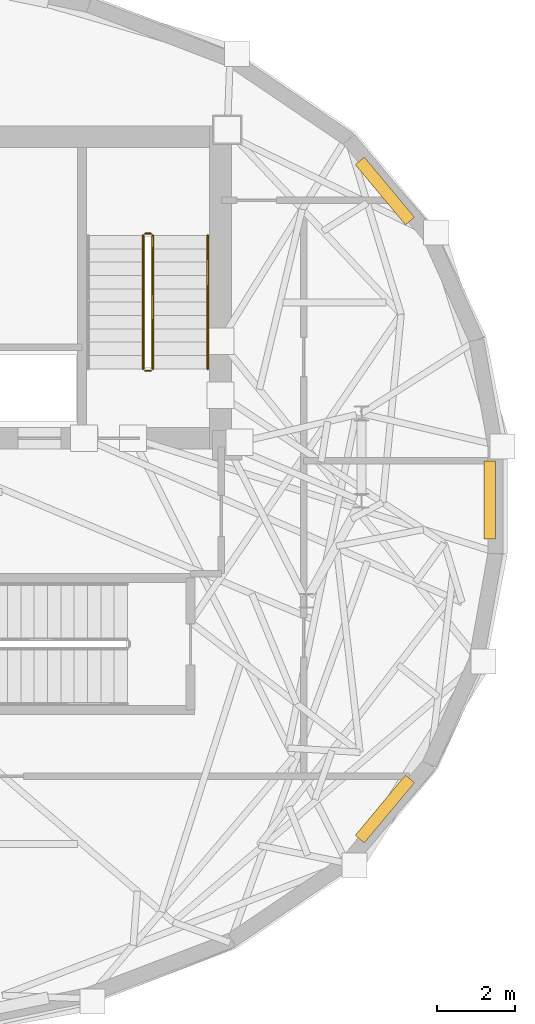
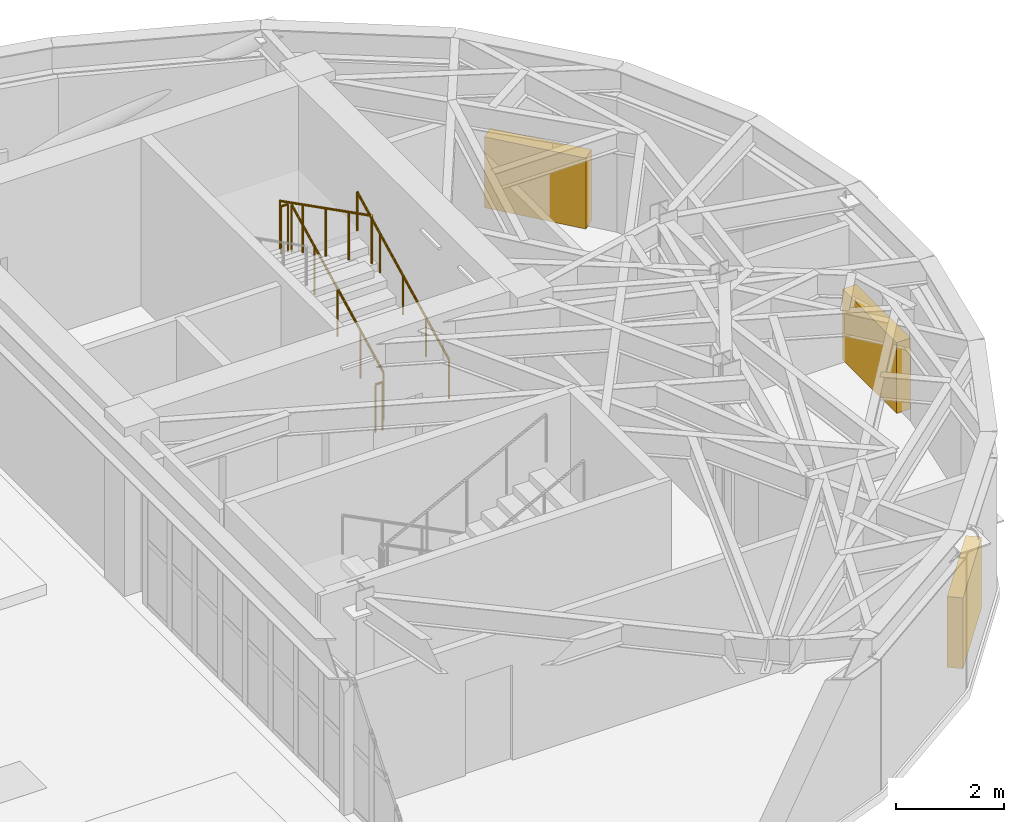
# One storey, part 13 of 13: 5 railings, 3 shading devices.
"""IFC4 building model written with IfcOpenShell, lengths in metres."""

from ifc_helpers import new_model, si_unit, direction, frame, origin, origin_2d, place, context, subcontext, project, spatial, rectangle, circle, extrude, material, type_object, element, save


model = new_model("IFC4")

# Units and contexts
model_context = context("Model", 3, precision=1e-05, world=origin(), true_north=direction((0.0, 1.0)))
body_context = subcontext(model_context, "Body", "Model", "MODEL_VIEW")
ifc_project = project(units=[si_unit("LENGTHUNIT", "METRE"), si_unit("AREAUNIT", "SQUARE_METRE"), si_unit("VOLUMEUNIT", "CUBIC_METRE"), si_unit("PLANEANGLEUNIT", "RADIAN"), si_unit("MASSUNIT", "GRAM", prefix="KILO")], contexts=[model_context])

# Site, building, storey
site_placement = place(None, origin())
site = spatial("IfcSite", under=ifc_project, at=site_placement, CompositionType="ELEMENT")
building_placement = place(site_placement, origin())
building = spatial("IfcBuilding", under=site, at=building_placement, Name="Keldmark Tower", CompositionType="ELEMENT")
storey_placement = place(building_placement, frame((0.0, 0.0, 269.199951171875)))
storey = spatial("IfcBuildingStorey", under=building, at=storey_placement, Name="L76", CompositionType="ELEMENT", Elevation=269.199951171875)

# Shading devices
ifc_material_1 = material(Name="Fluoropolymer-Coated Extruded Aluminum Stormproof Blades", Category="aluminium")
shading_device_type = type_object("IfcShadingDeviceType", Name="Mechanical Floor Acoustic Intake Louvre", PredefinedType="JALOUSIE", material=ifc_material_1)
for number, where, z_axis, x_axis, name in (
    (1, (17.62255859375, 7.88916015625, 0.0), (0.0, 0.0, 1.0), (-0.640686109478, 0.767802910337, 0.0), "L76 Crown Screen Acoustic Louvre E04"),
    (2, (20.302001953125, 0.0, 0.0), (0.0, 0.0, 1.0), (0.0, 1.0, 0.0), "L76 Crown Screen Acoustic Louvre E07"),
    (3, (17.62255859375, -7.88916015625, 0.0), (0.0, 0.0, 1.0), (0.640686109478, 0.767802910337, 0.0), "L76 Crown Screen Acoustic Louvre E10"),
):
    element("IfcShadingDevice", number, at=place(storey_placement, frame(where, z_axis=z_axis, x_axis=x_axis)), inside=storey, type_object=shading_device_type, Name=name, PredefinedType="JALOUSIE", context=body_context, shape_type="SweptSolid", body=[
        extrude(rectangle(XDim=2.0, YDim=0.300048828125, at=origin_2d()), origin(), (0.0, 0.0, 1.0), 1.60009765625),
    ])

# Railings
ifc_material_2 = material(Name="Painted Steel ASTM A500 Grade B", Category="steel")
railing_type_1 = type_object("IfcRailingType", Name="Painted Steel Stair Well Guard 1100 mm", PredefinedType="GUARDRAIL", material=ifc_material_2)
railing_1_placement = place(storey_placement, frame((11.699951171875, 3.35009765625, 0.1728515625)))
element("IfcRailing", 4, at=railing_1_placement, inside=storey, type_object=railing_type_1, Name="L76 ST2 stair guard 1", PredefinedType="GUARDRAIL", context=body_context, shape_type="SweptSolid", body=[
    extrude(circle(Radius=0.02392578125, at=origin_2d()), frame((0.0, 0.0, 1.076171875), z_axis=(0.0, 0.89154070688, 0.452940578858), x_axis=(-1.0, 0.0, 0.0)), (0.0, 0.0, 1.0), 3.8134765625),
    extrude(circle(Radius=0.02099609375, at=origin_2d()), origin(), (0.0, 0.0, 1.0), 1.052001953125),
    extrude(circle(Radius=0.02099609375, at=origin_2d()), frame((0.0, 0.85009765625, 0.431884765625)), (0.0, 0.0, 1.0), 1.052001953125),
    extrude(circle(Radius=0.02099609375, at=origin_2d()), frame((0.0, 1.699951171875, 0.86376953125)), (0.0, 0.0, 1.0), 1.052001953125),
    extrude(circle(Radius=0.02099609375, at=origin_2d()), frame((0.0, 2.5498046875, 1.29541015625)), (0.0, 0.0, 1.0), 1.052001953125),
    extrude(circle(Radius=0.02099609375, at=origin_2d()), frame((0.0, 3.39990234375, 1.727294921875)), (0.0, 0.0, 1.0), 1.052001953125),
])
railing_2_placement = place(storey_placement, frame((11.64990234375, 6.800048828125, 1.900146484375)))
element("IfcRailing", 5, at=railing_2_placement, inside=storey, type_object=railing_type_1, Name="L76 ST2 stair guard 2", PredefinedType="GUARDRAIL", context=body_context, shape_type="SweptSolid", body=[
    extrude(circle(Radius=0.02392578125, at=origin_2d()), frame((0.0, 0.0, 1.076171875), z_axis=(-1.0, 0.0, 0.0), x_axis=(0.0, -1.0, 0.0)), (0.0, 0.0, 1.0), 0.14990234375),
    extrude(circle(Radius=0.02099609375, at=origin_2d()), origin(), (0.0, 0.0, 1.0), 1.052001953125),
    extrude(circle(Radius=0.02099609375, at=origin_2d()), frame((-0.14990234375, 0.0, 0.0)), (0.0, 0.0, 1.0), 1.052001953125),
])
railing_3_placement = place(storey_placement, frame((11.449951171875, 6.75, 2.07275390625)))
element("IfcRailing", 6, at=railing_3_placement, inside=storey, type_object=railing_type_1, Name="L76 ST2 stair guard 3", PredefinedType="GUARDRAIL", context=body_context, shape_type="SweptSolid", body=[
    extrude(circle(Radius=0.02392578125, at=origin_2d()), frame((0.0, 0.0, 1.076171875), z_axis=(0.0, -0.89154070688, 0.452940578858), x_axis=(1.0, 0.0, 0.0)), (0.0, 0.0, 1.0), 3.8134765625),
    extrude(circle(Radius=0.02099609375, at=origin_2d()), origin(), (0.0, 0.0, 1.0), 1.052001953125),
    extrude(circle(Radius=0.02099609375, at=origin_2d()), frame((0.0, -0.85009765625, 0.431884765625)), (0.0, 0.0, 1.0), 1.052001953125),
    extrude(circle(Radius=0.02099609375, at=origin_2d()), frame((0.0, -1.699951171875, 0.86376953125)), (0.0, 0.0, 1.0), 1.052001953125),
    extrude(circle(Radius=0.02099609375, at=origin_2d()), frame((0.0, -2.5498046875, 1.29541015625)), (0.0, 0.0, 1.0), 1.052001953125),
    extrude(circle(Radius=0.02099609375, at=origin_2d()), frame((0.0, -3.39990234375, 1.727294921875)), (0.0, 0.0, 1.0), 1.052001953125),
])
railing_4_placement = place(storey_placement, frame((11.64990234375, 3.300048828125, 0.0)))
element("IfcRailing", 7, at=railing_4_placement, inside=storey, type_object=railing_type_1, Name="L76 ST2 stair guard 4", PredefinedType="GUARDRAIL", context=body_context, shape_type="SweptSolid", body=[
    extrude(circle(Radius=0.02392578125, at=origin_2d()), frame((0.0, 0.0, 1.076171875), z_axis=(-1.0, 0.0, 0.0), x_axis=(0.0, -1.0, 0.0)), (0.0, 0.0, 1.0), 0.14990234375),
    extrude(circle(Radius=0.02099609375, at=origin_2d()), origin(), (0.0, 0.0, 1.0), 1.052001953125),
    extrude(circle(Radius=0.02099609375, at=origin_2d()), frame((-0.14990234375, 0.0, 0.0)), (0.0, 0.0, 1.0), 1.052001953125),
])
ifc_material_3 = material(Name="Stainless Steel AISI 316L", Category="steel")
railing_type_2 = type_object("IfcRailingType", Name="Stainless Steel Stair Handrail 900 mm", PredefinedType="HANDRAIL", material=ifc_material_3)
railing_5_placement = place(storey_placement, frame((13.10009765625, 3.35009765625, 0.1728515625)))
element("IfcRailing", 8, at=railing_5_placement, inside=storey, type_object=railing_type_2, Name="L76 ST2 stair handrail 1", PredefinedType="HANDRAIL", context=body_context, shape_type="SweptSolid", body=[
    extrude(circle(Radius=0.02392578125, at=origin_2d()), frame((0.0, 0.0, 0.8759765625), z_axis=(0.0, 0.89154070688, 0.452940578858), x_axis=(-1.0, 0.0, 0.0)), (0.0, 0.0, 1.0), 3.8134765625),
    extrude(circle(Radius=0.02099609375, at=origin_2d()), origin(), (0.0, 0.0, 1.0), 0.851806640625),
    extrude(circle(Radius=0.02099609375, at=origin_2d()), frame((0.0, 0.85009765625, 0.431884765625)), (0.0, 0.0, 1.0), 0.851806640625),
    extrude(circle(Radius=0.02099609375, at=origin_2d()), frame((0.0, 1.699951171875, 0.86376953125)), (0.0, 0.0, 1.0), 0.851806640625),
    extrude(circle(Radius=0.02099609375, at=origin_2d()), frame((0.0, 2.5498046875, 1.29541015625)), (0.0, 0.0, 1.0), 0.851806640625),
    extrude(circle(Radius=0.02099609375, at=origin_2d()), frame((0.0, 3.39990234375, 1.727294921875)), (0.0, 0.0, 1.0), 0.851806640625),
])

save(model, "model.ifc")
